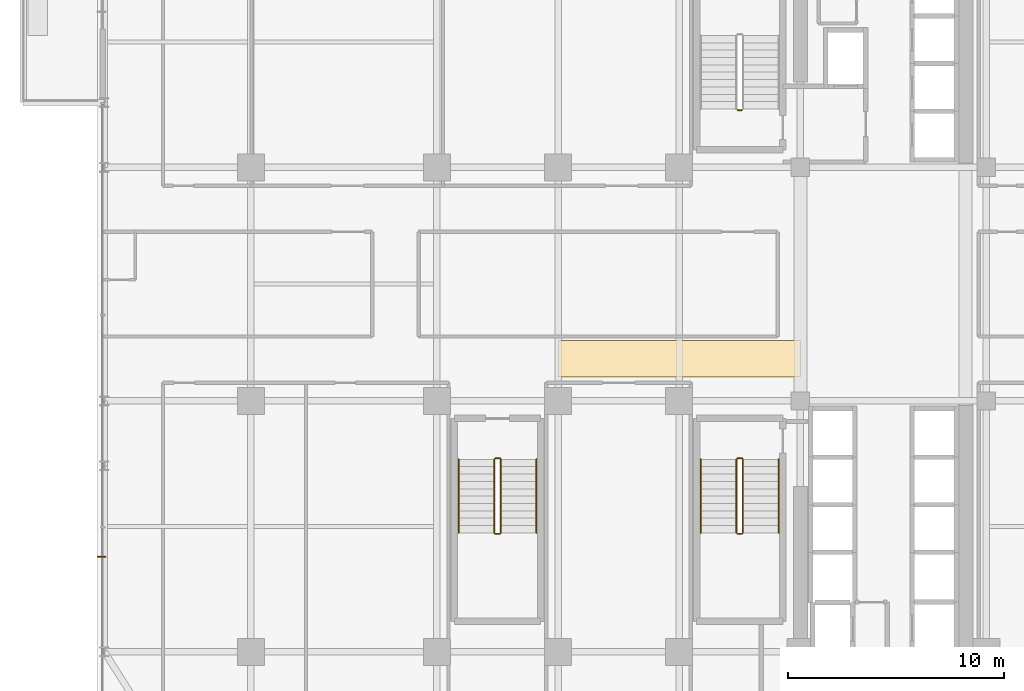
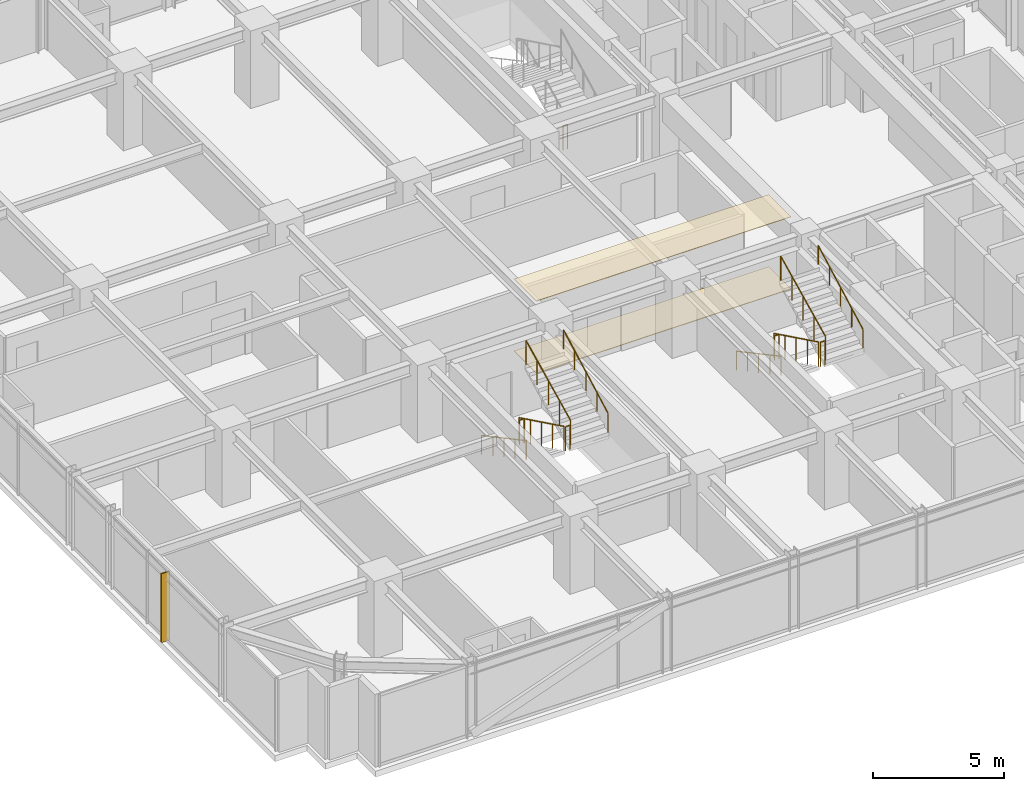
# One storey, part 32 of 35: 13 railings, 2 coverings, 1 shading device.
"""IFC4 building model written with IfcOpenShell, lengths in metres."""

from ifc_helpers import new_model, si_unit, direction, frame, origin, origin_2d, place, context, subcontext, project, spatial, polyline, rectangle, circle, outline, extrude, source, transform, mapped, material, layer, layer_set, type_object, element, save


model = new_model("IFC4")

# Units and contexts
model_context = context("Model", 3, precision=1e-05, world=origin(), true_north=direction((0.0, 1.0)))
body_context = subcontext(model_context, "Body", "Model", "MODEL_VIEW")
ifc_project = project(units=[si_unit("LENGTHUNIT", "METRE"), si_unit("AREAUNIT", "SQUARE_METRE"), si_unit("VOLUMEUNIT", "CUBIC_METRE"), si_unit("PLANEANGLEUNIT", "RADIAN"), si_unit("MASSUNIT", "GRAM", prefix="KILO")], contexts=[model_context])

# Site, building, storey
site_placement = place(None, origin())
site = spatial("IfcSite", under=ifc_project, at=site_placement, CompositionType="ELEMENT")
building_placement = place(site_placement, origin())
building = spatial("IfcBuilding", under=site, at=building_placement, Name="Nahalor Promenade Grand Hotel", CompositionType="ELEMENT")
storey_placement = place(building_placement, frame((0.0, 0.0, 121.14990234375)))
storey = spatial("IfcBuildingStorey", under=building, at=storey_placement, Name="L30", CompositionType="ELEMENT", Elevation=121.14990234375)

# Coverings
ifc_material_1 = material(Name="Acoustic Mineral Gypsum", Category="gypsum")
ifc_layer_1 = layer(ifc_material_1, 0.02490234375)
ifc_layer_set_1 = layer_set([ifc_layer_1], Name="Acoustic Mineral Gypsum")
covering_type_1 = type_object("IfcCoveringType", Name="Acoustic Suspended Ceiling Tile", PredefinedType="CEILING", material=ifc_layer_set_1)
covering_1_placement = place(storey_placement, frame((0.0, 0.0, 3.35498046875)))
element("IfcCovering", 1, at=covering_1_placement, inside=storey, type_object=covering_type_1, Name="CV-CEIL-L30", PredefinedType="CEILING", context=body_context, shape_type="SweptSolid", body=[
    extrude(outline(polyline([(-2.800048828125, -4.300048828125), (8.39990234375, -4.300048828125), (8.39990234375, -2.60009765625), (-2.800048828125, -2.60009765625), (-2.800048828125, -4.300048828125)])), origin(), (0.0, 0.0, 1.0), 0.025146484375),
])
ifc_material_2 = material(Name="Jerusalem Limestone Flooring", Category="masonry")
ifc_layer_2 = layer(ifc_material_2, 0.030029296875)
ifc_layer_set_2 = layer_set([ifc_layer_2], Name="Jerusalem Limestone Flooring")
covering_type_2 = type_object("IfcCoveringType", Name="Honed Limestone Floor Finish", PredefinedType="FLOORING", material=ifc_layer_set_2)
covering_2_placement = place(storey_placement, origin())
element("IfcCovering", 2, at=covering_2_placement, inside=storey, type_object=covering_type_2, Name="CV-FLOR-L30", PredefinedType="FLOORING", context=body_context, shape_type="SweptSolid", body=[
    extrude(outline(polyline([(-2.800048828125, -4.300048828125), (8.39990234375, -4.300048828125), (8.39990234375, -2.60009765625), (-2.800048828125, -2.60009765625), (-2.800048828125, -4.300048828125)])), origin(), (0.0, 0.0, 1.0), 0.030029296875),
])

# Railings
ifc_material_3 = material(Name="Steel S355JR", Category="steel")
railing_type_1 = type_object("IfcRailingType", Name="Steel Stair Guardrail 1150 mm", PredefinedType="GUARDRAIL", material=ifc_material_3)
railing_1_placement = place(storey_placement, frame((5.699951171875, 8.050048828125, 0.0)))
element("IfcRailing", 3, at=railing_1_placement, inside=storey, type_object=railing_type_1, Name="L30 ST1 stair guard 4", PredefinedType="GUARDRAIL", context=body_context, shape_type="SweptSolid", body=[
    extrude(circle(Radius=0.024048, at=origin_2d()), frame((0.0, 0.0, 1.1259765625), z_axis=(-1.0, 0.0, 0.0), x_axis=(0.0, -1.0, 0.0)), (0.0, 0.0, 1.0), 0.199951171875),
    extrude(circle(Radius=0.020996, at=origin_2d()), origin(), (0.0, 0.0, 1.0), 1.099853515625),
    extrude(circle(Radius=0.020996, at=origin_2d()), frame((-0.199951171875, 0.0, 0.0)), (0.0, 0.0, 1.0), 1.099853515625),
])
railing_2_placement = place(storey_placement, frame((5.449951171875, -8.10009765625, 0.166015625)))
element("IfcRailing", 4, at=railing_2_placement, inside=storey, type_object=railing_type_1, Name="L30 ST2 stair guard 1", PredefinedType="GUARDRAIL", context=body_context, shape_type="SweptSolid", body=[
    extrude(circle(Radius=0.024048, at=origin_2d()), frame((0.0, 0.0, 1.1259765625), z_axis=(0.0, -0.898696488221, 0.438571114028), x_axis=(1.0, 0.0, 0.0)), (0.0, 0.0, 1.0), 3.783203125),
    extrude(circle(Radius=0.020996, at=origin_2d()), origin(), (0.0, 0.0, 1.0), 1.099853515625),
    extrude(circle(Radius=0.020996, at=origin_2d()), frame((0.0, -0.85009765625, 0.414794921875)), (0.0, 0.0, 1.0), 1.099853515625),
    extrude(circle(Radius=0.020996, at=origin_2d()), frame((0.0, -1.699951171875, 0.82958984375)), (0.0, 0.0, 1.0), 1.099853515625),
    extrude(circle(Radius=0.020996, at=origin_2d()), frame((0.0, -2.5498046875, 1.244384765625)), (0.0, 0.0, 1.0), 1.099853515625),
    extrude(circle(Radius=0.020996, at=origin_2d()), frame((0.0, -3.39990234375, 1.6591796875)), (0.0, 0.0, 1.0), 1.099853515625),
])
railing_3_placement = place(storey_placement, frame((5.5, -11.550048828125, 1.8251953125)))
element("IfcRailing", 5, at=railing_3_placement, inside=storey, type_object=railing_type_1, Name="L30 ST2 stair guard 2", PredefinedType="GUARDRAIL", context=body_context, shape_type="SweptSolid", body=[
    extrude(circle(Radius=0.024048, at=origin_2d()), frame((0.0, 0.0, 1.1259765625), z_axis=(1.0, 0.0, 0.0), x_axis=(0.0, 1.0, 0.0)), (0.0, 0.0, 1.0), 0.199951171875),
    extrude(circle(Radius=0.020996, at=origin_2d()), origin(), (0.0, 0.0, 1.0), 1.099853515625),
    extrude(circle(Radius=0.020996, at=origin_2d()), frame((0.199951171875, 0.0, 0.0)), (0.0, 0.0, 1.0), 1.099853515625),
])
railing_4_placement = place(storey_placement, frame((5.75, -11.5, 1.990966796875)))
element("IfcRailing", 6, at=railing_4_placement, inside=storey, type_object=railing_type_1, Name="L30 ST2 stair guard 3", PredefinedType="GUARDRAIL", context=body_context, shape_type="SweptSolid", body=[
    extrude(circle(Radius=0.024048, at=origin_2d()), frame((0.0, 0.0, 1.1259765625), z_axis=(0.0, 0.898696488221, 0.438571114028), x_axis=(-1.0, 0.0, 0.0)), (0.0, 0.0, 1.0), 3.783203125),
    extrude(circle(Radius=0.020996, at=origin_2d()), origin(), (0.0, 0.0, 1.0), 1.099853515625),
    extrude(circle(Radius=0.020996, at=origin_2d()), frame((0.0, 0.85009765625, 0.414794921875)), (0.0, 0.0, 1.0), 1.099853515625),
    extrude(circle(Radius=0.020996, at=origin_2d()), frame((0.0, 1.699951171875, 0.82958984375)), (0.0, 0.0, 1.0), 1.099853515625),
    extrude(circle(Radius=0.020996, at=origin_2d()), frame((0.0, 2.5498046875, 1.244384765625)), (0.0, 0.0, 1.0), 1.099853515625),
    extrude(circle(Radius=0.020996, at=origin_2d()), frame((0.0, 3.39990234375, 1.6591796875)), (0.0, 0.0, 1.0), 1.099853515625),
])
railing_5_placement = place(storey_placement, frame((5.5, -8.050048828125, 0.0)))
element("IfcRailing", 7, at=railing_5_placement, inside=storey, type_object=railing_type_1, Name="L30 ST2 stair guard 4", PredefinedType="GUARDRAIL", context=body_context, shape_type="SweptSolid", body=[
    extrude(circle(Radius=0.024048, at=origin_2d()), frame((0.0, 0.0, 1.1259765625), z_axis=(1.0, 0.0, 0.0), x_axis=(0.0, 1.0, 0.0)), (0.0, 0.0, 1.0), 0.199951171875),
    extrude(circle(Radius=0.020996, at=origin_2d()), origin(), (0.0, 0.0, 1.0), 1.099853515625),
    extrude(circle(Radius=0.020996, at=origin_2d()), frame((0.199951171875, 0.0, 0.0)), (0.0, 0.0, 1.0), 1.099853515625),
])
railing_6_placement = place(storey_placement, frame((-5.75, -8.10009765625, 0.166015625)))
element("IfcRailing", 8, at=railing_6_placement, inside=storey, type_object=railing_type_1, Name="L30 ST3 stair guard 1", PredefinedType="GUARDRAIL", context=body_context, shape_type="SweptSolid", body=[
    extrude(circle(Radius=0.024048, at=origin_2d()), frame((0.0, 0.0, 1.1259765625), z_axis=(0.0, -0.898696488221, 0.438571114028), x_axis=(1.0, 0.0, 0.0)), (0.0, 0.0, 1.0), 3.783203125),
    extrude(circle(Radius=0.020996, at=origin_2d()), origin(), (0.0, 0.0, 1.0), 1.099853515625),
    extrude(circle(Radius=0.020996, at=origin_2d()), frame((0.0, -0.85009765625, 0.414794921875)), (0.0, 0.0, 1.0), 1.099853515625),
    extrude(circle(Radius=0.020996, at=origin_2d()), frame((0.0, -1.699951171875, 0.82958984375)), (0.0, 0.0, 1.0), 1.099853515625),
    extrude(circle(Radius=0.020996, at=origin_2d()), frame((0.0, -2.5498046875, 1.244384765625)), (0.0, 0.0, 1.0), 1.099853515625),
    extrude(circle(Radius=0.020996, at=origin_2d()), frame((0.0, -3.39990234375, 1.6591796875)), (0.0, 0.0, 1.0), 1.099853515625),
])
railing_7_placement = place(storey_placement, frame((-5.699951171875, -11.550048828125, 1.8251953125)))
element("IfcRailing", 9, at=railing_7_placement, inside=storey, type_object=railing_type_1, Name="L30 ST3 stair guard 2", PredefinedType="GUARDRAIL", context=body_context, shape_type="SweptSolid", body=[
    extrude(circle(Radius=0.024048, at=origin_2d()), frame((0.0, 0.0, 1.1259765625), z_axis=(1.0, 0.0, 0.0), x_axis=(0.0, 1.0, 0.0)), (0.0, 0.0, 1.0), 0.199951171875),
    extrude(circle(Radius=0.020996, at=origin_2d()), origin(), (0.0, 0.0, 1.0), 1.099853515625),
    extrude(circle(Radius=0.020996, at=origin_2d()), frame((0.199951171875, 0.0, 0.0)), (0.0, 0.0, 1.0), 1.099853515625),
])
railing_8_placement = place(storey_placement, frame((-5.449951171875, -11.5, 1.990966796875)))
element("IfcRailing", 10, at=railing_8_placement, inside=storey, type_object=railing_type_1, Name="L30 ST3 stair guard 3", PredefinedType="GUARDRAIL", context=body_context, shape_type="SweptSolid", body=[
    extrude(circle(Radius=0.024048, at=origin_2d()), frame((0.0, 0.0, 1.1259765625), z_axis=(0.0, 0.898696488221, 0.438571114028), x_axis=(-1.0, 0.0, 0.0)), (0.0, 0.0, 1.0), 3.783203125),
    extrude(circle(Radius=0.020996, at=origin_2d()), origin(), (0.0, 0.0, 1.0), 1.099853515625),
    extrude(circle(Radius=0.020996, at=origin_2d()), frame((0.0, 0.85009765625, 0.414794921875)), (0.0, 0.0, 1.0), 1.099853515625),
    extrude(circle(Radius=0.020996, at=origin_2d()), frame((0.0, 1.699951171875, 0.82958984375)), (0.0, 0.0, 1.0), 1.099853515625),
    extrude(circle(Radius=0.020996, at=origin_2d()), frame((0.0, 2.5498046875, 1.244384765625)), (0.0, 0.0, 1.0), 1.099853515625),
    extrude(circle(Radius=0.020996, at=origin_2d()), frame((0.0, 3.39990234375, 1.6591796875)), (0.0, 0.0, 1.0), 1.099853515625),
])
railing_9_placement = place(storey_placement, frame((-5.699951171875, -8.050048828125, 0.0)))
element("IfcRailing", 11, at=railing_9_placement, inside=storey, type_object=railing_type_1, Name="L30 ST3 stair guard 4", PredefinedType="GUARDRAIL", context=body_context, shape_type="SweptSolid", body=[
    extrude(circle(Radius=0.024048, at=origin_2d()), frame((0.0, 0.0, 1.1259765625), z_axis=(1.0, 0.0, 0.0), x_axis=(0.0, 1.0, 0.0)), (0.0, 0.0, 1.0), 0.199951171875),
    extrude(circle(Radius=0.020996, at=origin_2d()), origin(), (0.0, 0.0, 1.0), 1.099853515625),
    extrude(circle(Radius=0.020996, at=origin_2d()), frame((0.199951171875, 0.0, 0.0)), (0.0, 0.0, 1.0), 1.099853515625),
])
railing_type_2 = type_object("IfcRailingType", Name="Steel Stair Handrail 900 mm", PredefinedType="HANDRAIL", material=ifc_material_3)
railing_10_placement = place(storey_placement, frame((3.800048828125, -8.10009765625, 0.166015625)))
element("IfcRailing", 12, at=railing_10_placement, inside=storey, type_object=railing_type_2, Name="L30 ST2 stair handrail 1", PredefinedType="HANDRAIL", context=body_context, shape_type="SweptSolid", body=[
    extrude(circle(Radius=0.024048, at=origin_2d()), frame((0.0, 0.0, 0.8759765625), z_axis=(0.0, -0.881094038095, 0.47294111265), x_axis=(1.0, 0.0, 0.0)), (0.0, 0.0, 1.0), 3.858642578125),
    extrude(circle(Radius=0.020996, at=origin_2d()), origin(), (0.0, 0.0, 1.0), 0.849853515625),
    extrude(circle(Radius=0.020996, at=origin_2d()), frame((0.0, -0.85009765625, 0.456298828125)), (0.0, 0.0, 1.0), 0.849853515625),
    extrude(circle(Radius=0.020996, at=origin_2d()), frame((0.0, -1.699951171875, 0.91259765625)), (0.0, 0.0, 1.0), 0.849853515625),
    extrude(circle(Radius=0.020996, at=origin_2d()), frame((0.0, -2.5498046875, 1.36865234375)), (0.0, 0.0, 1.0), 0.849853515625),
    extrude(circle(Radius=0.020996, at=origin_2d()), frame((0.0, -3.39990234375, 1.824951171875)), (0.0, 0.0, 1.0), 0.849853515625),
])
railing_11_placement = place(storey_placement, frame((7.39990234375, -11.5, 1.990966796875)))
element("IfcRailing", 13, at=railing_11_placement, inside=storey, type_object=railing_type_2, Name="L30 ST2 stair handrail 2", PredefinedType="HANDRAIL", context=body_context, shape_type="SweptSolid", body=[
    extrude(circle(Radius=0.024048, at=origin_2d()), frame((0.0, 0.0, 0.8759765625), z_axis=(0.0, 0.881094038095, 0.47294111265), x_axis=(-1.0, 0.0, 0.0)), (0.0, 0.0, 1.0), 3.858642578125),
    extrude(circle(Radius=0.020996, at=origin_2d()), origin(), (0.0, 0.0, 1.0), 0.849853515625),
    extrude(circle(Radius=0.020996, at=origin_2d()), frame((0.0, 0.85009765625, 0.456298828125)), (0.0, 0.0, 1.0), 0.849853515625),
    extrude(circle(Radius=0.020996, at=origin_2d()), frame((0.0, 1.699951171875, 0.91259765625)), (0.0, 0.0, 1.0), 0.849853515625),
    extrude(circle(Radius=0.020996, at=origin_2d()), frame((0.0, 2.5498046875, 1.36865234375)), (0.0, 0.0, 1.0), 0.849853515625),
    extrude(circle(Radius=0.020996, at=origin_2d()), frame((0.0, 3.39990234375, 1.824951171875)), (0.0, 0.0, 1.0), 0.849853515625),
])
railing_12_placement = place(storey_placement, frame((-7.39990234375, -8.10009765625, 0.166015625)))
element("IfcRailing", 14, at=railing_12_placement, inside=storey, type_object=railing_type_2, Name="L30 ST3 stair handrail 1", PredefinedType="HANDRAIL", context=body_context, shape_type="SweptSolid", body=[
    extrude(circle(Radius=0.024048, at=origin_2d()), frame((0.0, 0.0, 0.8759765625), z_axis=(0.0, -0.881094038095, 0.47294111265), x_axis=(1.0, 0.0, 0.0)), (0.0, 0.0, 1.0), 3.858642578125),
    extrude(circle(Radius=0.020996, at=origin_2d()), origin(), (0.0, 0.0, 1.0), 0.849853515625),
    extrude(circle(Radius=0.020996, at=origin_2d()), frame((0.0, -0.85009765625, 0.456298828125)), (0.0, 0.0, 1.0), 0.849853515625),
    extrude(circle(Radius=0.020996, at=origin_2d()), frame((0.0, -1.699951171875, 0.91259765625)), (0.0, 0.0, 1.0), 0.849853515625),
    extrude(circle(Radius=0.020996, at=origin_2d()), frame((0.0, -2.5498046875, 1.36865234375)), (0.0, 0.0, 1.0), 0.849853515625),
    extrude(circle(Radius=0.020996, at=origin_2d()), frame((0.0, -3.39990234375, 1.824951171875)), (0.0, 0.0, 1.0), 0.849853515625),
])
railing_13_placement = place(storey_placement, frame((-3.800048828125, -11.5, 1.990966796875)))
element("IfcRailing", 15, at=railing_13_placement, inside=storey, type_object=railing_type_2, Name="L30 ST3 stair handrail 2", PredefinedType="HANDRAIL", context=body_context, shape_type="SweptSolid", body=[
    extrude(circle(Radius=0.024048, at=origin_2d()), frame((0.0, 0.0, 0.8759765625), z_axis=(0.0, 0.881094038095, 0.47294111265), x_axis=(-1.0, 0.0, 0.0)), (0.0, 0.0, 1.0), 3.858642578125),
    extrude(circle(Radius=0.020996, at=origin_2d()), origin(), (0.0, 0.0, 1.0), 0.849853515625),
    extrude(circle(Radius=0.020996, at=origin_2d()), frame((0.0, 0.85009765625, 0.456298828125)), (0.0, 0.0, 1.0), 0.849853515625),
    extrude(circle(Radius=0.020996, at=origin_2d()), frame((0.0, 1.699951171875, 0.91259765625)), (0.0, 0.0, 1.0), 0.849853515625),
    extrude(circle(Radius=0.020996, at=origin_2d()), frame((0.0, 2.5498046875, 1.36865234375)), (0.0, 0.0, 1.0), 0.849853515625),
    extrude(circle(Radius=0.020996, at=origin_2d()), frame((0.0, 3.39990234375, 1.824951171875)), (0.0, 0.0, 1.0), 0.849853515625),
])

# Shading device
ifc_material_4 = material(Name="Anodised Bronze Aluminium EN AW-6063 T6", Category="aluminium")
ifc_layer_3 = layer(ifc_material_4, 0.06005859375)
ifc_layer_set_3 = layer_set([ifc_layer_3], Name="Anodised Bronze Aluminium EN AW-6063 T6")
shading_device_type = type_object("IfcShadingDeviceType", Name="Shade-SolarFin-Bronze", PredefinedType="JALOUSIE", material=ifc_layer_set_3)
shared_shape = source(origin(), body_context, "Body", "SweptSolid", [
    extrude(rectangle(XDim=0.3798828125, YDim=0.06005859375, at=origin_2d()), origin(), (0.0, 0.0, 1.0), 3.199951171875),
])
shading_device_placement = place(storey_placement, frame((-23.909912109375, -12.60009765625, 0.0), z_axis=(0.0, 0.0, 1.0), x_axis=(1.0, 0.0, 0.0)))
element("IfcShadingDevice", 16, at=shading_device_placement, inside=storey, type_object=shading_device_type, Name="JAL-L30-W1", PredefinedType="JALOUSIE", context=body_context, shape_type="MappedRepresentation", body=[
    mapped(shared_shape, transform((0.0, 0.0, 0.0), scale=1.0)),
])

save(model, "model.ifc")
